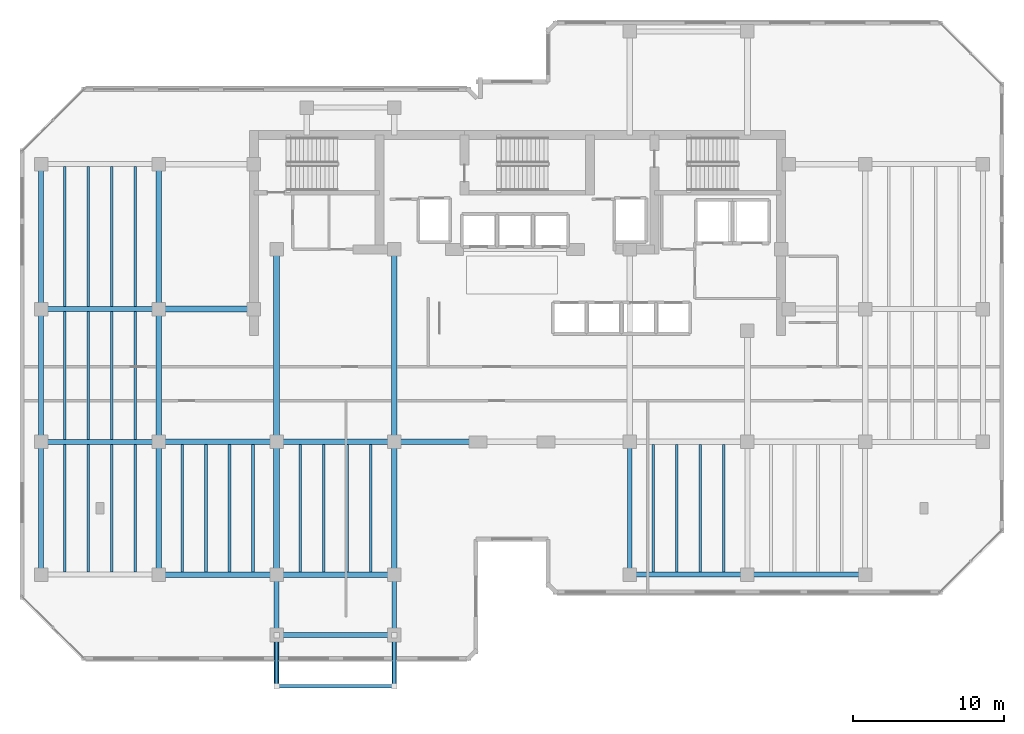
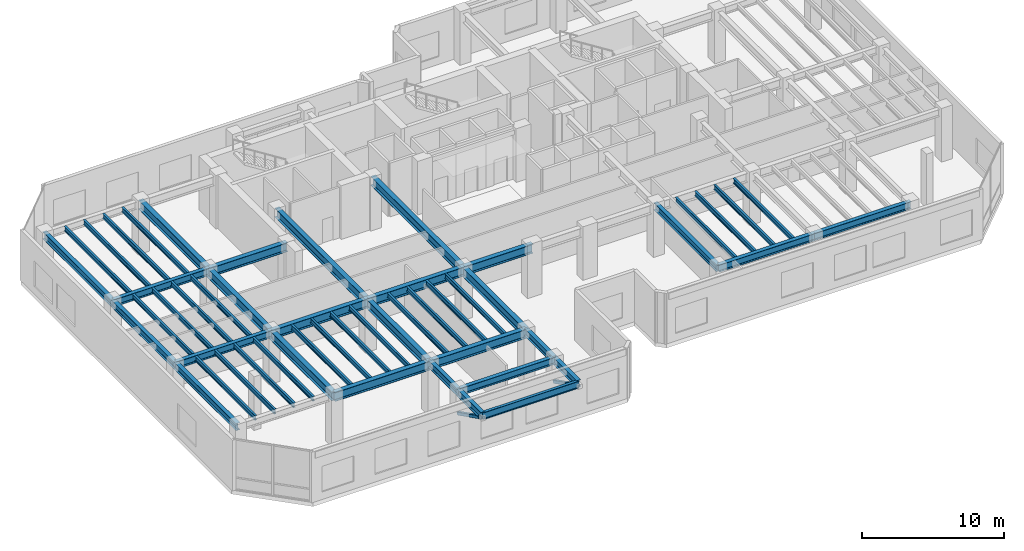
# One storey, part 3 of 20: 51 beams, 2 members.
"""IFC4 building model written with IfcOpenShell, lengths in metres."""

from ifc_helpers import new_model, si_unit, direction, frame, origin, origin_2d, place, context, subcontext, project, spatial, hollow_rectangle, i_section, extrude, material, material_profile, profile_set, type_object, element, save


model = new_model("IFC4")

# Units and contexts
model_context = context("Model", 3, precision=1e-05, world=origin(), true_north=direction((0.0, 1.0)))
body_context = subcontext(model_context, "Body", "Model", "MODEL_VIEW")
ifc_project = project(units=[si_unit("LENGTHUNIT", "METRE"), si_unit("AREAUNIT", "SQUARE_METRE"), si_unit("VOLUMEUNIT", "CUBIC_METRE"), si_unit("PLANEANGLEUNIT", "RADIAN"), si_unit("MASSUNIT", "GRAM", prefix="KILO")], contexts=[model_context])

# Site, building, storey
site_placement = place(None, origin())
site = spatial("IfcSite", under=ifc_project, at=site_placement, CompositionType="ELEMENT")
building_placement = place(site_placement, origin())
building = spatial("IfcBuilding", under=site, at=building_placement, Name="Kestravale Grand Hotel", CompositionType="ELEMENT")
storey_placement = place(building_placement, frame((0.0, 0.0, 231.89990234375)))
storey = spatial("IfcBuildingStorey", under=building, at=storey_placement, Name="L58", CompositionType="ELEMENT", Elevation=231.89990234375)

# Beams
ifc_material_1 = material(Name="Steel ASTM A992 Grade 50", Category="steel")
ifc_material_profile_1 = material_profile(ifc_material_1, i_section(OverallWidth=0.177978515625, OverallDepth=0.404052734375, WebThickness=0.007568359375, FlangeThickness=0.010986328125, FilletRadius=0.01416015625, at=origin_2d()))
ifc_profile_set_1 = profile_set([ifc_material_profile_1], Name="Steel ASTM A992 Grade 50")
beam_type_1 = type_object("IfcBeamType", Name="B-FLR-JST16", PredefinedType="JOIST", material=ifc_profile_set_1)
for number, where, z_axis, x_axis, name in (
    (1, (9.360107421875, 11.362548828125, 4.148193359375), (0.0, 1.0, 0.0), (-1.0, 0.0, 0.0), "L58 floor joist 2-3/C-D #1"),
    (2, (10.919921875, 11.362548828125, 4.148193359375), (0.0, 1.0, 0.0), (-1.0, 0.0, 0.0), "L58 floor joist 2-3/C-D #2"),
    (3, (12.47998046875, 11.362548828125, 4.148193359375), (0.0, 1.0, 0.0), (-1.0, 0.0, 0.0), "L58 floor joist 2-3/C-D #3"),
    (4, (14.0400390625, 11.362548828125, 4.148193359375), (0.0, 1.0, 0.0), (-1.0, 0.0, 0.0), "L58 floor joist 2-3/C-D #4"),
    (5, (9.360107421875, 20.16259765625, 4.148193359375), (0.0, 1.0, 0.0), (-1.0, 0.0, 0.0), "L58 floor joist 2-3/D-E #1"),
    (6, (10.919921875, 20.16259765625, 4.148193359375), (0.0, 1.0, 0.0), (-1.0, 0.0, 0.0), "L58 floor joist 2-3/D-E #2"),
    (7, (12.47998046875, 20.16259765625, 4.148193359375), (0.0, 1.0, 0.0), (-1.0, 0.0, 0.0), "L58 floor joist 2-3/D-E #3"),
    (8, (14.0400390625, 20.16259765625, 4.148193359375), (0.0, 1.0, 0.0), (-1.0, 0.0, 0.0), "L58 floor joist 2-3/D-E #4"),
):
    element("IfcBeam", number, at=place(storey_placement, frame(where, z_axis=z_axis, x_axis=x_axis)), inside=storey, type_object=beam_type_1, Name=name, PredefinedType="JOIST", context=body_context, shape_type="SweptSolid", body=[
        extrude(i_section(OverallWidth=0.177978515625, OverallDepth=0.404052734375, WebThickness=0.007568359375, FlangeThickness=0.010986328125, FilletRadius=0.01416015625, at=origin_2d()), origin(), (0.0, 0.0, 1.0), 8.474853515625),
    ])
for number, where, z_axis, x_axis, name in (
    (9, (9.360107421875, 28.96240234375, 4.148193359375), (0.0, 1.0, 0.0), (-1.0, 0.0, 0.0), "L58 floor joist 2-3/E-F #1"),
    (10, (10.919921875, 28.96240234375, 4.148193359375), (0.0, 1.0, 0.0), (-1.0, 0.0, 0.0), "L58 floor joist 2-3/E-F #2"),
    (11, (12.47998046875, 28.96240234375, 4.148193359375), (0.0, 1.0, 0.0), (-1.0, 0.0, 0.0), "L58 floor joist 2-3/E-F #3"),
    (12, (14.0400390625, 28.96240234375, 4.148193359375), (0.0, 1.0, 0.0), (-1.0, 0.0, 0.0), "L58 floor joist 2-3/E-F #4"),
):
    element("IfcBeam", number, at=place(storey_placement, frame(where, z_axis=z_axis, x_axis=x_axis)), inside=storey, type_object=beam_type_1, Name=name, PredefinedType="JOIST", context=body_context, shape_type="SweptSolid", body=[
        extrude(i_section(OverallWidth=0.177978515625, OverallDepth=0.404052734375, WebThickness=0.007568359375, FlangeThickness=0.010986328125, FilletRadius=0.01416015625, at=origin_2d()), origin(), (0.0, 0.0, 1.0), 9.275146484375),
    ])
for number, where, z_axis, x_axis, name in (
    (13, (17.159912109375, 11.390380859375, 4.148193359375), (0.0, 1.0, 0.0), (-1.0, 0.0, 0.0), "L58 floor joist 3-4/C-D #1"),
    (14, (18.719970703125, 11.390380859375, 4.148193359375), (0.0, 1.0, 0.0), (-1.0, 0.0, 0.0), "L58 floor joist 3-4/C-D #2"),
    (15, (20.280029296875, 11.390380859375, 4.148193359375), (0.0, 1.0, 0.0), (-1.0, 0.0, 0.0), "L58 floor joist 3-4/C-D #3"),
    (16, (21.840087890625, 11.390380859375, 4.148193359375), (0.0, 1.0, 0.0), (-1.0, 0.0, 0.0), "L58 floor joist 3-4/C-D #4"),
    (17, (24.9599609375, 11.390380859375, 4.148193359375), (0.0, 1.0, 0.0), (-1.0, 0.0, 0.0), "L58 floor joist 4-5/C-D #1"),
    (18, (26.52001953125, 11.390380859375, 4.148193359375), (0.0, 1.0, 0.0), (-1.0, 0.0, 0.0), "L58 floor joist 4-5/C-D #2"),
    (19, (28.080078125, 11.390380859375, 4.148193359375), (0.0, 1.0, 0.0), (-1.0, 0.0, 0.0), "L58 floor joist 4-5/C-D #3"),
    (20, (29.639892578125, 11.390380859375, 4.148193359375), (0.0, 1.0, 0.0), (-1.0, 0.0, 0.0), "L58 floor joist 4-5/C-D #4"),
):
    element("IfcBeam", number, at=place(storey_placement, frame(where, z_axis=z_axis, x_axis=x_axis)), inside=storey, type_object=beam_type_1, Name=name, PredefinedType="JOIST", context=body_context, shape_type="SweptSolid", body=[
        extrude(i_section(OverallWidth=0.177978515625, OverallDepth=0.404052734375, WebThickness=0.007568359375, FlangeThickness=0.010986328125, FilletRadius=0.01416015625, at=origin_2d()), origin(), (0.0, 0.0, 1.0), 8.419189453125),
    ])
for number, where, z_axis, x_axis, name in (
    (21, (48.360107421875, 11.362548828125, 4.148193359375), (0.0, 1.0, 0.0), (-1.0, 0.0, 0.0), "L58 floor joist 8-9/C-D #1"),
    (22, (49.919921875, 11.362548828125, 4.148193359375), (0.0, 1.0, 0.0), (-1.0, 0.0, 0.0), "L58 floor joist 8-9/C-D #2"),
    (23, (51.47998046875, 11.362548828125, 4.148193359375), (0.0, 1.0, 0.0), (-1.0, 0.0, 0.0), "L58 floor joist 8-9/C-D #3"),
    (24, (53.0400390625, 11.362548828125, 4.148193359375), (0.0, 1.0, 0.0), (-1.0, 0.0, 0.0), "L58 floor joist 8-9/C-D #4"),
):
    element("IfcBeam", number, at=place(storey_placement, frame(where, z_axis=z_axis, x_axis=x_axis)), inside=storey, type_object=beam_type_1, Name=name, PredefinedType="JOIST", context=body_context, shape_type="SweptSolid", body=[
        extrude(i_section(OverallWidth=0.177978515625, OverallDepth=0.404052734375, WebThickness=0.007568359375, FlangeThickness=0.010986328125, FilletRadius=0.01416015625, at=origin_2d()), origin(), (0.0, 0.0, 1.0), 8.447021484375),
    ])
ifc_material_2 = material(Name="Steel ASTM A992 Grade 50", Category="steel")
ifc_material_profile_2 = material_profile(ifc_material_2, i_section(OverallWidth=0.324951171875, OverallDepth=0.612060546875, WebThickness=0.0126953125, FlangeThickness=0.01904296875, FilletRadius=0.018798828125, at=origin_2d()))
ifc_profile_set_2 = profile_set([ifc_material_profile_2], Name="Steel ASTM A992 Grade 50")
beam_type_2 = type_object("IfcBeamType", Name="B-FLR-W24A", PredefinedType="SPANDREL", material=ifc_profile_set_2)
beam_1_placement = place(storey_placement, frame((46.800048828125, 11.199951171875, 4.044189453125), z_axis=(1.0, 0.0, 0.0), x_axis=(0.0, 1.0, 0.0)))
element("IfcBeam", 25, at=beam_1_placement, inside=storey, type_object=beam_type_2, Name="L58 spandrel C:8-9", PredefinedType="SPANDREL", context=body_context, shape_type="SweptSolid", body=[
    extrude(i_section(OverallWidth=0.324951171875, OverallDepth=0.612060546875, WebThickness=0.0126953125, FlangeThickness=0.01904296875, FilletRadius=0.018798828125, at=origin_2d()), origin(), (0.0, 0.0, 1.0), 7.800048828125),
])
beam_2_placement = place(storey_placement, frame((54.60009765625, 11.199951171875, 4.044189453125), z_axis=(1.0, 0.0, 0.0), x_axis=(0.0, 1.0, 0.0)))
element("IfcBeam", 26, at=beam_2_placement, inside=storey, type_object=beam_type_2, Name="L58 spandrel C:9-10", PredefinedType="SPANDREL", context=body_context, shape_type="SweptSolid", body=[
    extrude(i_section(OverallWidth=0.324951171875, OverallDepth=0.612060546875, WebThickness=0.0126953125, FlangeThickness=0.01904296875, FilletRadius=0.018798828125, at=origin_2d()), origin(), (0.0, 0.0, 1.0), 7.7998046875),
])
for number, where, z_axis, x_axis, name in (
    (27, (7.800048828125, 20.0, 4.044189453125), (1.0, 0.0, 0.0), (0.0, 1.0, 0.0), "L58 spandrel D:2-3"),
    (28, (7.800048828125, 28.800048828125, 4.044189453125), (1.0, 0.0, 0.0), (0.0, 1.0, 0.0), "L58 spandrel E:2-3"),
    (29, (23.39990234375, 7.199951171875, 4.044189453125), (1.0, 0.0, 0.0), (0.0, 1.0, 0.0), "L58 perimeter tie spandrel BS:4-5"),
):
    element("IfcBeam", number, at=place(storey_placement, frame(where, z_axis=z_axis, x_axis=x_axis)), inside=storey, type_object=beam_type_2, Name=name, PredefinedType="SPANDREL", context=body_context, shape_type="SweptSolid", body=[
        extrude(i_section(OverallWidth=0.324951171875, OverallDepth=0.612060546875, WebThickness=0.0126953125, FlangeThickness=0.01904296875, FilletRadius=0.018798828125, at=origin_2d()), origin(), (0.0, 0.0, 1.0), 7.800048828125),
    ])
for number, where, z_axis, x_axis, name in (
    (30, (7.800048828125, 11.199951171875, 4.044189453125), (0.0, 1.0, 0.0), (-1.0, 0.0, 0.0), "L58 spandrel 2:C-D"),
    (31, (7.800048828125, 20.0, 4.044189453125), (0.0, 1.0, 0.0), (-1.0, 0.0, 0.0), "L58 spandrel 2:D-E"),
):
    element("IfcBeam", number, at=place(storey_placement, frame(where, z_axis=z_axis, x_axis=x_axis)), inside=storey, type_object=beam_type_2, Name=name, PredefinedType="SPANDREL", context=body_context, shape_type="SweptSolid", body=[
        extrude(i_section(OverallWidth=0.324951171875, OverallDepth=0.612060546875, WebThickness=0.0126953125, FlangeThickness=0.01904296875, FilletRadius=0.018798828125, at=origin_2d()), origin(), (0.0, 0.0, 1.0), 8.800048828125),
    ])
beam_3_placement = place(storey_placement, frame((7.800048828125, 28.800048828125, 4.044189453125), z_axis=(0.0, 1.0, 0.0), x_axis=(-1.0, 0.0, 0.0)))
element("IfcBeam", 32, at=beam_3_placement, inside=storey, type_object=beam_type_2, Name="L58 spandrel 2:E-F", PredefinedType="SPANDREL", context=body_context, shape_type="SweptSolid", body=[
    extrude(i_section(OverallWidth=0.324951171875, OverallDepth=0.612060546875, WebThickness=0.0126953125, FlangeThickness=0.01904296875, FilletRadius=0.018798828125, at=origin_2d()), origin(), (0.0, 0.0, 1.0), 9.599853515625),
])
for number, where, z_axis, x_axis, name in (
    (33, (23.39990234375, 7.199951171875, 4.044189453125), (0.0, 1.0, 0.0), (-1.0, 0.0, 0.0), "L58 spandrel 4:BS-C"),
    (34, (31.199951171875, 7.199951171875, 4.044189453125), (0.0, 1.0, 0.0), (-1.0, 0.0, 0.0), "L58 spandrel 5:BS-C"),
):
    element("IfcBeam", number, at=place(storey_placement, frame(where, z_axis=z_axis, x_axis=x_axis)), inside=storey, type_object=beam_type_2, Name=name, PredefinedType="SPANDREL", context=body_context, shape_type="SweptSolid", body=[
        extrude(i_section(OverallWidth=0.324951171875, OverallDepth=0.612060546875, WebThickness=0.0126953125, FlangeThickness=0.01904296875, FilletRadius=0.018798828125, at=origin_2d()), origin(), (0.0, 0.0, 1.0), 4.0),
    ])
beam_4_placement = place(storey_placement, frame((46.800048828125, 11.199951171875, 4.044189453125), z_axis=(0.0, 1.0, 0.0), x_axis=(-1.0, 0.0, 0.0)))
element("IfcBeam", 35, at=beam_4_placement, inside=storey, type_object=beam_type_2, Name="L58 spandrel 8:C-D", PredefinedType="SPANDREL", context=body_context, shape_type="SweptSolid", body=[
    extrude(i_section(OverallWidth=0.324951171875, OverallDepth=0.612060546875, WebThickness=0.0126953125, FlangeThickness=0.01904296875, FilletRadius=0.018798828125, at=origin_2d()), origin(), (0.0, 0.0, 1.0), 8.800048828125),
])
for number, where, z_axis, x_axis, name in (
    (36, (23.39990234375, 7.199951171875, 4.024169921875), (0.0, -1.0, 0.0), (1.0, 0.0, 0.0), "L59 terrace cantilever beam 1"),
    (37, (31.199951171875, 7.199951171875, 4.024169921875), (0.0, -1.0, 0.0), (1.0, 0.0, 0.0), "L59 terrace cantilever beam 2"),
):
    element("IfcBeam", number, at=place(storey_placement, frame(where, z_axis=z_axis, x_axis=x_axis)), inside=storey, type_object=beam_type_2, Name=name, PredefinedType="SPANDREL", context=body_context, shape_type="SweptSolid", body=[
        extrude(i_section(OverallWidth=0.324951171875, OverallDepth=0.612060546875, WebThickness=0.0126953125, FlangeThickness=0.01904296875, FilletRadius=0.018798828125, at=origin_2d()), origin(), (0.0, 0.0, 1.0), 3.39990234375),
    ])
ifc_material_3 = material(Name="Steel ASTM A992 Grade 50", Category="steel")
ifc_material_profile_3 = material_profile(ifc_material_3, i_section(OverallWidth=0.22900390625, OverallDepth=0.612060546875, WebThickness=0.011962890625, FlangeThickness=0.01953125, FilletRadius=0.019287109375, at=origin_2d()))
ifc_profile_set_3 = profile_set([ifc_material_profile_3], Name="Steel ASTM A992 Grade 50")
beam_type_3 = type_object("IfcBeamType", Name="B-FLR-W24B", PredefinedType="SPANDREL", material=ifc_profile_set_3)
beam_5_placement = place(storey_placement, frame((23.39990234375, 3.800048828125, 4.024169921875), z_axis=(1.0, 0.0, 0.0), x_axis=(0.0, 1.0, 0.0)))
element("IfcBeam", 38, at=beam_5_placement, inside=storey, type_object=beam_type_3, Name="L59 terrace edge spandrel", PredefinedType="SPANDREL", context=body_context, shape_type="SweptSolid", body=[
    extrude(i_section(OverallWidth=0.22900390625, OverallDepth=0.612060546875, WebThickness=0.011962890625, FlangeThickness=0.01953125, FilletRadius=0.019287109375, at=origin_2d()), origin(), (0.0, 0.0, 1.0), 7.800048828125),
])
ifc_material_4 = material(Name="Steel ASTM A992 Grade 50", Category="steel")
ifc_material_profile_4 = material_profile(ifc_material_4, i_section(OverallWidth=0.381103515625, OverallDepth=0.77197265625, WebThickness=0.0166015625, FlangeThickness=0.027099609375, FilletRadius=0.023681640625, at=origin_2d()))
ifc_profile_set_4 = profile_set([ifc_material_profile_4], Name="Steel ASTM A992 Grade 50")
beam_type_4 = type_object("IfcBeamType", Name="B-GRD-W30", PredefinedType="BEAM", material=ifc_profile_set_4)
beam_6_placement = place(storey_placement, frame((15.60009765625, 11.199951171875, 3.964111328125), z_axis=(1.0, 0.0, 0.0), x_axis=(0.0, 1.0, 0.0)))
element("IfcBeam", 39, at=beam_6_placement, inside=storey, type_object=beam_type_4, Name="L58 girder C:3-4", PredefinedType="BEAM", context=body_context, shape_type="SweptSolid", body=[
    extrude(i_section(OverallWidth=0.381103515625, OverallDepth=0.77197265625, WebThickness=0.0166015625, FlangeThickness=0.027099609375, FilletRadius=0.023681640625, at=origin_2d()), origin(), (0.0, 0.0, 1.0), 7.7998046875),
])
beam_7_placement = place(storey_placement, frame((23.39990234375, 11.199951171875, 3.964111328125), z_axis=(1.0, 0.0, 0.0), x_axis=(0.0, 1.0, 0.0)))
element("IfcBeam", 40, at=beam_7_placement, inside=storey, type_object=beam_type_4, Name="L58 girder C:4-5", PredefinedType="BEAM", context=body_context, shape_type="SweptSolid", body=[
    extrude(i_section(OverallWidth=0.381103515625, OverallDepth=0.77197265625, WebThickness=0.0166015625, FlangeThickness=0.027099609375, FilletRadius=0.023681640625, at=origin_2d()), origin(), (0.0, 0.0, 1.0), 7.800048828125),
])
beam_8_placement = place(storey_placement, frame((15.60009765625, 20.0, 3.964111328125), z_axis=(1.0, 0.0, 0.0), x_axis=(0.0, 1.0, 0.0)))
element("IfcBeam", 41, at=beam_8_placement, inside=storey, type_object=beam_type_4, Name="L58 girder D:3-4", PredefinedType="BEAM", context=body_context, shape_type="SweptSolid", body=[
    extrude(i_section(OverallWidth=0.381103515625, OverallDepth=0.77197265625, WebThickness=0.0166015625, FlangeThickness=0.027099609375, FilletRadius=0.023681640625, at=origin_2d()), origin(), (0.0, 0.0, 1.0), 7.7998046875),
])
beam_9_placement = place(storey_placement, frame((23.39990234375, 20.0, 3.964111328125), z_axis=(1.0, 0.0, 0.0), x_axis=(0.0, 1.0, 0.0)))
element("IfcBeam", 42, at=beam_9_placement, inside=storey, type_object=beam_type_4, Name="L58 girder D:4-5", PredefinedType="BEAM", context=body_context, shape_type="SweptSolid", body=[
    extrude(i_section(OverallWidth=0.381103515625, OverallDepth=0.77197265625, WebThickness=0.0166015625, FlangeThickness=0.027099609375, FilletRadius=0.023681640625, at=origin_2d()), origin(), (0.0, 0.0, 1.0), 7.800048828125),
])
beam_10_placement = place(storey_placement, frame((31.199951171875, 20.0, 3.964111328125), z_axis=(1.0, 0.0, 0.0), x_axis=(0.0, 1.0, 0.0)))
element("IfcBeam", 43, at=beam_10_placement, inside=storey, type_object=beam_type_4, Name="L58 girder D:5-6", PredefinedType="BEAM", context=body_context, shape_type="SweptSolid", body=[
    extrude(i_section(OverallWidth=0.381103515625, OverallDepth=0.77197265625, WebThickness=0.0166015625, FlangeThickness=0.027099609375, FilletRadius=0.023681640625, at=origin_2d()), origin(), (0.0, 0.0, 1.0), 5.550048828125),
])
beam_11_placement = place(storey_placement, frame((15.60009765625, 28.800048828125, 3.964111328125), z_axis=(1.0, 0.0, 0.0), x_axis=(0.0, 1.0, 0.0)))
element("IfcBeam", 44, at=beam_11_placement, inside=storey, type_object=beam_type_4, Name="L58 girder E:3-CW", PredefinedType="BEAM", context=body_context, shape_type="SweptSolid", body=[
    extrude(i_section(OverallWidth=0.381103515625, OverallDepth=0.77197265625, WebThickness=0.0166015625, FlangeThickness=0.027099609375, FilletRadius=0.023681640625, at=origin_2d()), origin(), (0.0, 0.0, 1.0), 6.2998046875),
])
for number, where, z_axis, x_axis, name in (
    (45, (15.60009765625, 11.199951171875, 3.964111328125), (0.0, 1.0, 0.0), (-1.0, 0.0, 0.0), "L58 girder 3:C-D"),
    (46, (15.60009765625, 20.0, 3.964111328125), (0.0, 1.0, 0.0), (-1.0, 0.0, 0.0), "L58 girder 3:D-E"),
):
    element("IfcBeam", number, at=place(storey_placement, frame(where, z_axis=z_axis, x_axis=x_axis)), inside=storey, type_object=beam_type_4, Name=name, PredefinedType="BEAM", context=body_context, shape_type="SweptSolid", body=[
        extrude(i_section(OverallWidth=0.381103515625, OverallDepth=0.77197265625, WebThickness=0.0166015625, FlangeThickness=0.027099609375, FilletRadius=0.023681640625, at=origin_2d()), origin(), (0.0, 0.0, 1.0), 8.800048828125),
    ])
beam_12_placement = place(storey_placement, frame((15.60009765625, 28.800048828125, 3.964111328125), z_axis=(0.0, 1.0, 0.0), x_axis=(-1.0, 0.0, 0.0)))
element("IfcBeam", 47, at=beam_12_placement, inside=storey, type_object=beam_type_4, Name="L58 girder 3:E-F", PredefinedType="BEAM", context=body_context, shape_type="SweptSolid", body=[
    extrude(i_section(OverallWidth=0.381103515625, OverallDepth=0.77197265625, WebThickness=0.0166015625, FlangeThickness=0.027099609375, FilletRadius=0.023681640625, at=origin_2d()), origin(), (0.0, 0.0, 1.0), 9.599853515625),
])
beam_13_placement = place(storey_placement, frame((23.39990234375, 11.199951171875, 3.964111328125), z_axis=(0.0, 1.0, 0.0), x_axis=(-1.0, 0.0, 0.0)))
element("IfcBeam", 48, at=beam_13_placement, inside=storey, type_object=beam_type_4, Name="L58 girder 4:C-D", PredefinedType="BEAM", context=body_context, shape_type="SweptSolid", body=[
    extrude(i_section(OverallWidth=0.381103515625, OverallDepth=0.77197265625, WebThickness=0.0166015625, FlangeThickness=0.027099609375, FilletRadius=0.023681640625, at=origin_2d()), origin(), (0.0, 0.0, 1.0), 8.800048828125),
])
beam_14_placement = place(storey_placement, frame((23.39990234375, 20.0, 3.964111328125), z_axis=(0.0, 1.0, 0.0), x_axis=(-1.0, 0.0, 0.0)))
element("IfcBeam", 49, at=beam_14_placement, inside=storey, type_object=beam_type_4, Name="L58 girder 4:D-CS", PredefinedType="BEAM", context=body_context, shape_type="SweptSolid", body=[
    extrude(i_section(OverallWidth=0.381103515625, OverallDepth=0.77197265625, WebThickness=0.0166015625, FlangeThickness=0.027099609375, FilletRadius=0.023681640625, at=origin_2d()), origin(), (0.0, 0.0, 1.0), 12.75),
])
beam_15_placement = place(storey_placement, frame((31.199951171875, 11.199951171875, 3.964111328125), z_axis=(0.0, 1.0, 0.0), x_axis=(-1.0, 0.0, 0.0)))
element("IfcBeam", 50, at=beam_15_placement, inside=storey, type_object=beam_type_4, Name="L58 girder 5:C-D", PredefinedType="BEAM", context=body_context, shape_type="SweptSolid", body=[
    extrude(i_section(OverallWidth=0.381103515625, OverallDepth=0.77197265625, WebThickness=0.0166015625, FlangeThickness=0.027099609375, FilletRadius=0.023681640625, at=origin_2d()), origin(), (0.0, 0.0, 1.0), 8.800048828125),
])
beam_16_placement = place(storey_placement, frame((31.199951171875, 20.0, 3.964111328125), z_axis=(0.0, 1.0, 0.0), x_axis=(-1.0, 0.0, 0.0)))
element("IfcBeam", 51, at=beam_16_placement, inside=storey, type_object=beam_type_4, Name="L58 girder 5:D-CS", PredefinedType="BEAM", context=body_context, shape_type="SweptSolid", body=[
    extrude(i_section(OverallWidth=0.381103515625, OverallDepth=0.77197265625, WebThickness=0.0166015625, FlangeThickness=0.027099609375, FilletRadius=0.023681640625, at=origin_2d()), origin(), (0.0, 0.0, 1.0), 12.75),
])

# Members
ifc_material_5 = material(Name="Steel ASTM A500 Grade C", Category="steel")
ifc_material_profile_5 = material_profile(ifc_material_5, hollow_rectangle(XDim=0.25, YDim=0.25, WallThickness=0.011962890625, InnerFilletRadius=0.011962890625, OuterFilletRadius=0.02392578125, at=origin_2d()))
ifc_profile_set_5 = profile_set([ifc_material_profile_5], Name="Steel ASTM A500 Grade C")
member_type = type_object("IfcMemberType", Name="M-BLT-STR250", PredefinedType="STRUT", material=ifc_profile_set_5)
for number, where, z_axis, x_axis, name in (
    (52, (23.39990234375, 7.199951171875, 2.174072265625), (0.0, -0.894427191, 0.4472135955), (1.0, 0.0, 0.0), "L59 terrace knee-brace strut 1"),
    (53, (31.199951171875, 7.199951171875, 2.174072265625), (0.0, -0.894427191, 0.4472135955), (1.0, 0.0, 0.0), "L59 terrace knee-brace strut 2"),
):
    element("IfcMember", number, at=place(storey_placement, frame(where, z_axis=z_axis, x_axis=x_axis)), inside=storey, type_object=member_type, Name=name, PredefinedType="STRUT", context=body_context, shape_type="SweptSolid", body=[
        extrude(hollow_rectangle(XDim=0.25, YDim=0.25, WallThickness=0.011962890625, InnerFilletRadius=0.011962890625, OuterFilletRadius=0.02392578125, at=origin_2d()), origin(), (0.0, 0.0, 1.0), 3.80126953125),
    ])

save(model, "model.ifc")
